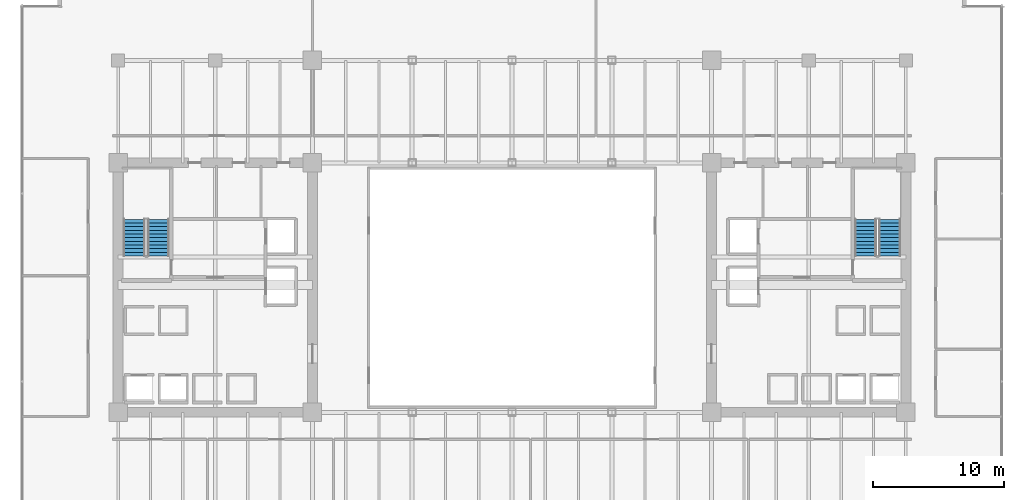
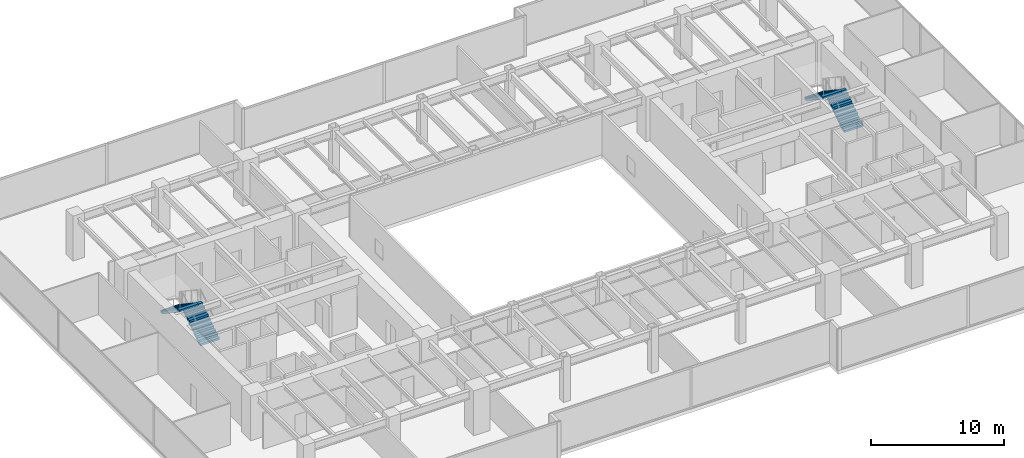
# One storey, part 33 of 35: 4 stair flights, 2 elements without a shape of their own.
"""IFC4 building model written with IfcOpenShell, lengths in metres."""

from ifc_helpers import new_model, si_unit, direction, frame, origin, place, context, subcontext, project, spatial, polyline, outline, extrude, source, transform, mapped, material, type_object, type_shapes, element, aggregate, save


model = new_model("IFC4")

# Units and contexts
model_context = context("Model", 3, precision=1e-05, world=origin(), true_north=direction((0.0, 1.0)))
body_context = subcontext(model_context, "Body", "Model", "MODEL_VIEW")
ifc_project = project(units=[si_unit("LENGTHUNIT", "METRE"), si_unit("AREAUNIT", "SQUARE_METRE"), si_unit("VOLUMEUNIT", "CUBIC_METRE"), si_unit("PLANEANGLEUNIT", "RADIAN"), si_unit("MASSUNIT", "GRAM", prefix="KILO")], contexts=[model_context])

# Site, building, storey
site_placement = place(None, origin())
site = spatial("IfcSite", under=ifc_project, at=site_placement, CompositionType="ELEMENT")
building_placement = place(site_placement, origin())
building = spatial("IfcBuilding", under=site, at=building_placement, Name="Haelvirn Gate Laboratories", CompositionType="ELEMENT")
storey_placement = place(building_placement, frame((0.0, 0.0, 45.699951171875)))
storey = spatial("IfcBuildingStorey", under=building, at=storey_placement, Name="L11", CompositionType="ELEMENT", Elevation=45.699951171875)

# Stair, stair flights
ifc_material = material(Name="Concrete C40/50", Category="concrete")
stair_type = type_object("IfcStairType", Name="ST-DOG-1650-R22", PredefinedType="HALF_TURN_STAIR", material=ifc_material)
stair_1_placement = place(storey_placement, origin())
stair_1 = element("IfcStair", 1, at=stair_1_placement, inside=storey, type_object=stair_type, Name="L11 Escape Stair ST1", PredefinedType="HALF_TURN_STAIR")
stair_flight_type = type_object("IfcStairFlightType", Name="STF-1650-R11", PredefinedType="STRAIGHT", material=ifc_material)
shared_shape = source(origin(), body_context, "Body", "SweptSolid", [
    extrude(outline(polyline([(0.0, 0.0), (0.0, 0.186279296875), (0.280029296875, 0.186279296875), (0.280029296875, 0.372802734375), (0.56005859375, 0.372802734375), (0.56005859375, 0.55908203125), (0.840087890625, 0.55908203125), (0.840087890625, 0.745361328125), (1.1201171875, 0.745361328125), (1.1201171875, 0.931884765625), (1.39990234375, 0.931884765625), (1.39990234375, 1.1181640625), (1.679931640625, 1.1181640625), (1.679931640625, 1.304443359375), (1.9599609375, 1.304443359375), (1.9599609375, 1.490966796875), (2.239990234375, 1.490966796875), (2.239990234375, 1.67724609375), (2.52001953125, 1.67724609375), (2.52001953125, 1.863525390625), (2.800048828125, 1.863525390625), (2.800048828125, 2.050048828125), (2.800048828125, 1.671630859375), (0.28857421875, 0.0), (0.0, 0.0)])), frame((0.0, 0.824951171875, 0.0), z_axis=(0.0, -1.0, 0.0), x_axis=(1.0, 0.0, 0.0)), (0.0, 0.0, 1.0), 1.64990234375),
])
type_shapes(stair_flight_type, [shared_shape])
stair_flight_1_placement = place(storey_placement, frame((10.47509765625, 26.699951171875, 0.0), z_axis=(0.0, 0.0, 1.0), x_axis=(0.0, 1.0, 0.0)))
stair_flight_1 = element("IfcStairFlight", 2, at=stair_flight_1_placement, type_object=stair_flight_type, Name="ST1 flight 1", NumberOfRisers=11, NumberOfTreads=10, PredefinedType="STRAIGHT", RiserHeight=0.186363636, TreadLength=0.28, context=body_context, shape_type="MappedRepresentation", body=[
    mapped(shared_shape, transform((0.0, 0.0, 0.0), scale=1.0)),
])
stair_flight_2_placement = place(storey_placement, frame((8.625, 29.5, 2.050048828125), z_axis=(0.0, 0.0, 1.0), x_axis=(0.0, -1.0, 0.0)))
stair_flight_2 = element("IfcStairFlight", 3, at=stair_flight_2_placement, type_object=stair_flight_type, Name="ST1 flight 2", NumberOfRisers=11, NumberOfTreads=10, PredefinedType="STRAIGHT", RiserHeight=0.186363636, TreadLength=0.28, context=body_context, shape_type="MappedRepresentation", body=[
    mapped(shared_shape, transform((0.0, 0.0, 0.0), scale=1.0)),
])
aggregate(stair_1, [stair_flight_1, stair_flight_2])

stair_2_placement = place(storey_placement, origin())
stair_2 = element("IfcStair", 4, at=stair_2_placement, inside=storey, type_object=stair_type, Name="L11 Escape Stair ST2", PredefinedType="HALF_TURN_STAIR")
stair_flight_3_placement = place(storey_placement, frame((66.175048828125, 26.699951171875, 0.0), z_axis=(0.0, 0.0, 1.0), x_axis=(0.0, 1.0, 0.0)))
stair_flight_3 = element("IfcStairFlight", 5, at=stair_flight_3_placement, type_object=stair_flight_type, Name="ST2 flight 1", NumberOfRisers=11, NumberOfTreads=10, PredefinedType="STRAIGHT", RiserHeight=0.186363636, TreadLength=0.28, context=body_context, shape_type="MappedRepresentation", body=[
    mapped(shared_shape, transform((0.0, 0.0, 0.0), scale=1.0)),
])
stair_flight_4_placement = place(storey_placement, frame((64.324951171875, 29.5, 2.050048828125), z_axis=(0.0, 0.0, 1.0), x_axis=(0.0, -1.0, 0.0)))
stair_flight_4 = element("IfcStairFlight", 6, at=stair_flight_4_placement, type_object=stair_flight_type, Name="ST2 flight 2", NumberOfRisers=11, NumberOfTreads=10, PredefinedType="STRAIGHT", RiserHeight=0.186363636, TreadLength=0.28, context=body_context, shape_type="MappedRepresentation", body=[
    mapped(shared_shape, transform((0.0, 0.0, 0.0), scale=1.0)),
])
aggregate(stair_2, [stair_flight_3, stair_flight_4])

save(model, "model.ifc")
